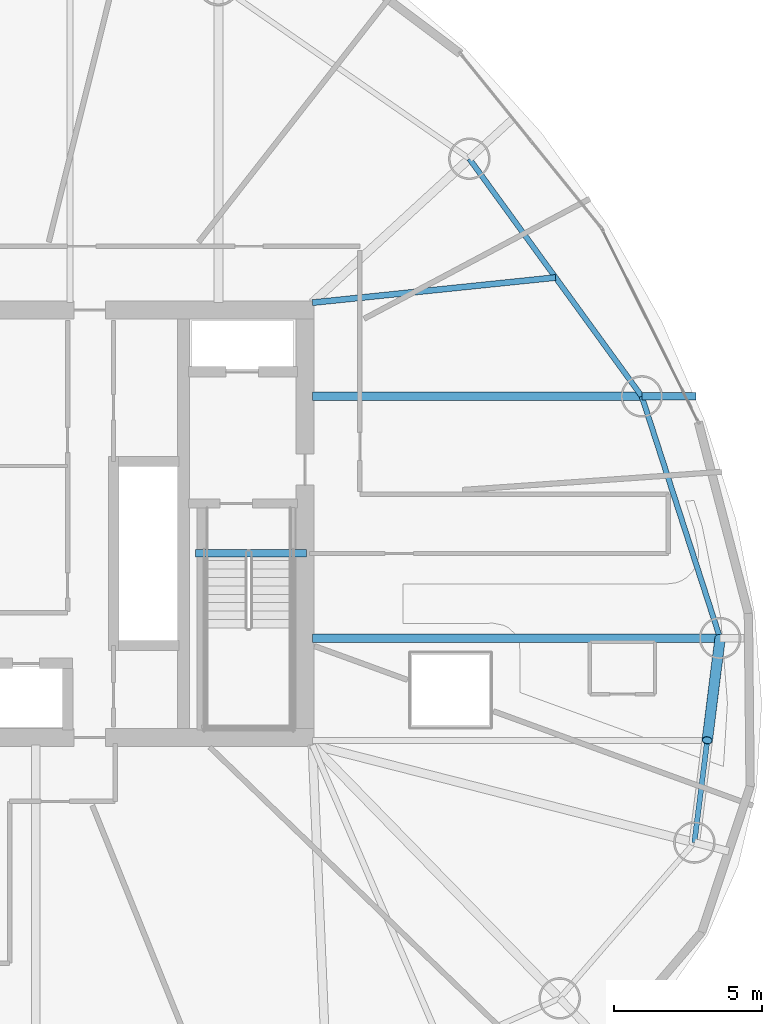
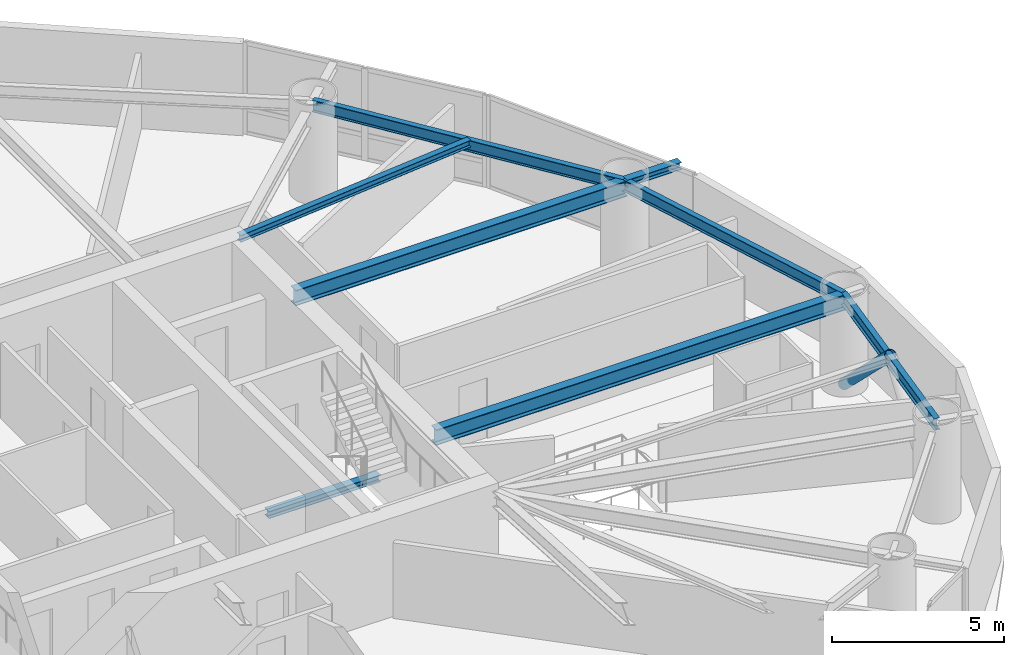
# One storey, part 8 of 24: 8 beams, 1 member.
"""IFC4 building model written with IfcOpenShell, lengths in metres."""

from ifc_helpers import new_model, si_unit, direction, frame, origin, origin_2d, place, context, subcontext, project, spatial, hollow_circle, i_section, extrude, material, material_profile, profile_set, type_object, element, save


model = new_model("IFC4")

# Units and contexts
model_context = context("Model", 3, precision=1e-05, world=origin(), true_north=direction((0.0, 1.0)))
body_context = subcontext(model_context, "Body", "Model", "MODEL_VIEW")
ifc_project = project(units=[si_unit("LENGTHUNIT", "METRE"), si_unit("AREAUNIT", "SQUARE_METRE"), si_unit("VOLUMEUNIT", "CUBIC_METRE"), si_unit("PLANEANGLEUNIT", "RADIAN"), si_unit("MASSUNIT", "GRAM", prefix="KILO")], contexts=[model_context])

# Site, building, storey
site_placement = place(None, origin())
site = spatial("IfcSite", under=ifc_project, at=site_placement, CompositionType="ELEMENT")
building_placement = place(site_placement, origin())
building = spatial("IfcBuilding", under=site, at=building_placement, Name="Bramvorn Convention Spire", CompositionType="ELEMENT")
storey_placement = place(building_placement, frame((0.0, 0.0, 148.300048828125)))
storey = spatial("IfcBuildingStorey", under=building, at=storey_placement, Name="L37", CompositionType="ELEMENT", Elevation=148.300048828125)

# Beams
ifc_material = material(Name="Steel CSA G40.21 Grade 350 (350W)", Category="steel")
ifc_material_profile_1 = material_profile(ifc_material, i_section(OverallWidth=0.201904296875, OverallDepth=0.2470703125, WebThickness=0.00732421875, FlangeThickness=0.010986328125, FilletRadius=0.011962890625, at=origin_2d()))
ifc_profile_set_1 = profile_set([ifc_material_profile_1], Name="Steel CSA G40.21 Grade 350 (350W) - W250X49")
beam_type_1 = type_object("IfcBeamType", Name="BM-W250X49", PredefinedType="JOIST", material=ifc_profile_set_1)
beam_1_placement = place(storey_placement, frame((49.25, 33.449951171875, 3.136474609375), z_axis=(0.994705076194, 0.102770673804, 0.0), x_axis=(-0.102770673804, 0.994705076194, 0.0)))
element("IfcBeam", 1, at=beam_1_placement, inside=storey, type_object=beam_type_1, Name="L37 composite floor joist 03", PredefinedType="JOIST", context=body_context, shape_type="SweptSolid", body=[
    extrude(i_section(OverallWidth=0.201904296875, OverallDepth=0.2470703125, WebThickness=0.00732421875, FlangeThickness=0.010986328125, FilletRadius=0.011962890625, at=origin_2d()), origin(), (0.0, 0.0, 1.0), 8.23388671875),
])
ifc_material_profile_2 = material_profile(ifc_material, i_section(OverallWidth=0.25390625, OverallDepth=0.2529296875, WebThickness=0.008544921875, FlangeThickness=0.01416015625, FilletRadius=0.011962890625, at=origin_2d()))
ifc_profile_set_2 = profile_set([ifc_material_profile_2], Name="Steel CSA G40.21 Grade 350 (350W) - W250X73")
beam_type_2 = type_object("IfcBeamType", Name="BM-W250X73", PredefinedType="BEAM", material=ifc_profile_set_2)
beam_2_placement = place(storey_placement, frame((60.345703125, 30.293212890625, 3.133544921875), z_axis=(1.0, 0.0, 0.0), x_axis=(0.0, 1.0, 0.0)))
element("IfcBeam", 2, at=beam_2_placement, inside=storey, type_object=beam_type_2, Name="L37 slab-edge cantilever tip beam MC03", PredefinedType="BEAM", context=body_context, shape_type="SweptSolid", body=[
    extrude(i_section(OverallWidth=0.25390625, OverallDepth=0.2529296875, WebThickness=0.008544921875, FlangeThickness=0.01416015625, FilletRadius=0.011962890625, at=origin_2d()), origin(), (0.0, 0.0, 1.0), 1.8330078125),
])
beam_3_placement = place(storey_placement, frame((45.31005859375, 25.010009765625, -0.12646484375), z_axis=(1.0, 0.0, 0.0), x_axis=(0.0, 1.0, 0.0)))
element("IfcBeam", 3, at=beam_3_placement, inside=storey, type_object=beam_type_2, Name="L37 ST2 stair arrival header beam", PredefinedType="BEAM", context=body_context, shape_type="SweptSolid", body=[
    extrude(i_section(OverallWidth=0.25390625, OverallDepth=0.2529296875, WebThickness=0.008544921875, FlangeThickness=0.01416015625, FilletRadius=0.011962890625, at=origin_2d()), origin(), (0.0, 0.0, 1.0), 3.739990234375),
])
ifc_material_profile_3 = material_profile(ifc_material, i_section(OverallWidth=0.180908203125, OverallDepth=0.4169921875, WebThickness=0.010986328125, FlangeThickness=0.018310546875, FilletRadius=0.01611328125, at=origin_2d()))
ifc_profile_set_3 = profile_set([ifc_material_profile_3], Name="Steel CSA G40.21 Grade 350 (350W) - W410X85")
beam_type_3 = type_object("IfcBeamType", Name="BM-W410X85", PredefinedType="JOIST", material=ifc_profile_set_3)
beam_4_placement = place(storey_placement, frame((62.11767578125, 15.26220703125, 3.051513671875), z_axis=(0.124775053879, 0.992185056292, 0.0), x_axis=(-0.992185056292, 0.124775053879, 0.0)))
element("IfcBeam", 4, at=beam_4_placement, inside=storey, type_object=beam_type_3, Name="L37 mega-column ring beam 01", PredefinedType="JOIST", context=body_context, shape_type="SweptSolid", body=[
    extrude(i_section(OverallWidth=0.180908203125, OverallDepth=0.4169921875, WebThickness=0.010986328125, FlangeThickness=0.018310546875, FilletRadius=0.01611328125, at=origin_2d()), origin(), (0.0, 0.0, 1.0), 6.940185546875),
])
beam_5_placement = place(storey_placement, frame((62.983642578125, 22.148193359375, 3.051513671875), z_axis=(-0.308114853612, 0.951349166701, 0.0), x_axis=(-0.951349166701, -0.308114853612, 0.0)))
element("IfcBeam", 5, at=beam_5_placement, inside=storey, type_object=beam_type_3, Name="L37 mega-column ring beam 02", PredefinedType="JOIST", context=body_context, shape_type="SweptSolid", body=[
    extrude(i_section(OverallWidth=0.180908203125, OverallDepth=0.4169921875, WebThickness=0.010986328125, FlangeThickness=0.018310546875, FilletRadius=0.01611328125, at=origin_2d()), origin(), (0.0, 0.0, 1.0), 8.5615234375),
])
beam_6_placement = place(storey_placement, frame((60.345703125, 30.293212890625, 3.051513671875), z_axis=(-0.587401024629, 0.809296012757, 0.0), x_axis=(-0.809296012757, -0.587401024629, 0.0)))
element("IfcBeam", 6, at=beam_6_placement, inside=storey, type_object=beam_type_3, Name="L37 mega-column ring beam 03", PredefinedType="JOIST", context=body_context, shape_type="SweptSolid", body=[
    extrude(i_section(OverallWidth=0.180908203125, OverallDepth=0.4169921875, WebThickness=0.010986328125, FlangeThickness=0.018310546875, FilletRadius=0.01611328125, at=origin_2d()), origin(), (0.0, 0.0, 1.0), 9.892333984375),
])
ifc_material_profile_4 = material_profile(ifc_material, i_section(OverallWidth=0.2919921875, OverallDepth=0.551025390625, WebThickness=0.01513671875, FlangeThickness=0.0244140625, FilletRadius=0.01904296875, at=origin_2d()))
ifc_profile_set_4 = profile_set([ifc_material_profile_4], Name="Steel CSA G40.21 Grade 350 (350W) - W530X182")
beam_type_4 = type_object("IfcBeamType", Name="BM-W530X182", PredefinedType="BEAM", material=ifc_profile_set_4)
beam_7_placement = place(storey_placement, frame((49.25, 22.148193359375, 2.984375), z_axis=(1.0, 0.0, 0.0), x_axis=(0.0, 1.0, 0.0)))
element("IfcBeam", 7, at=beam_7_placement, inside=storey, type_object=beam_type_4, Name="L37 radial floor girder MC02", PredefinedType="BEAM", context=body_context, shape_type="SweptSolid", body=[
    extrude(i_section(OverallWidth=0.2919921875, OverallDepth=0.551025390625, WebThickness=0.01513671875, FlangeThickness=0.0244140625, FilletRadius=0.01904296875, at=origin_2d()), origin(), (0.0, 0.0, 1.0), 13.733642578125),
])
beam_8_placement = place(storey_placement, frame((49.25, 30.293212890625, 2.984375), z_axis=(1.0, 0.0, 0.0), x_axis=(0.0, 1.0, 0.0)))
element("IfcBeam", 8, at=beam_8_placement, inside=storey, type_object=beam_type_4, Name="L37 radial floor girder MC03", PredefinedType="BEAM", context=body_context, shape_type="SweptSolid", body=[
    extrude(i_section(OverallWidth=0.2919921875, OverallDepth=0.551025390625, WebThickness=0.01513671875, FlangeThickness=0.0244140625, FilletRadius=0.01904296875, at=origin_2d()), origin(), (0.0, 0.0, 1.0), 11.095703125),
])

# Member
ifc_material_profile_5 = material_profile(ifc_material, hollow_circle(Radius=0.177734375, WallThickness=0.015869140625, at=origin_2d()))
ifc_profile_set_5 = profile_set([ifc_material_profile_5], Name="Steel CSA G40.21 Grade 350 (350W) - CHS356X16")
member_type = type_object("IfcMemberType", Name="MBR-CHS356X16", PredefinedType="BRACE", material=ifc_profile_set_5)
member_placement = place(storey_placement, frame((62.983642578125, 22.148193359375, 0.0), z_axis=(-0.090966454148, -0.723116649599, 0.684709730683), x_axis=(0.992180152714, -0.124814039917, 0.0)))
element("IfcMember", 9, at=member_placement, inside=storey, type_object=member_type, Name="L37 perimeter Gothic lancet brace 1B", PredefinedType="BRACE", context=body_context, shape_type="SweptSolid", body=[
    extrude(hollow_circle(Radius=0.177734375, WallThickness=0.015869140625, at=origin_2d()), origin(), (0.0, 0.0, 1.0), 4.76123046875),
])

save(model, "model.ifc")
